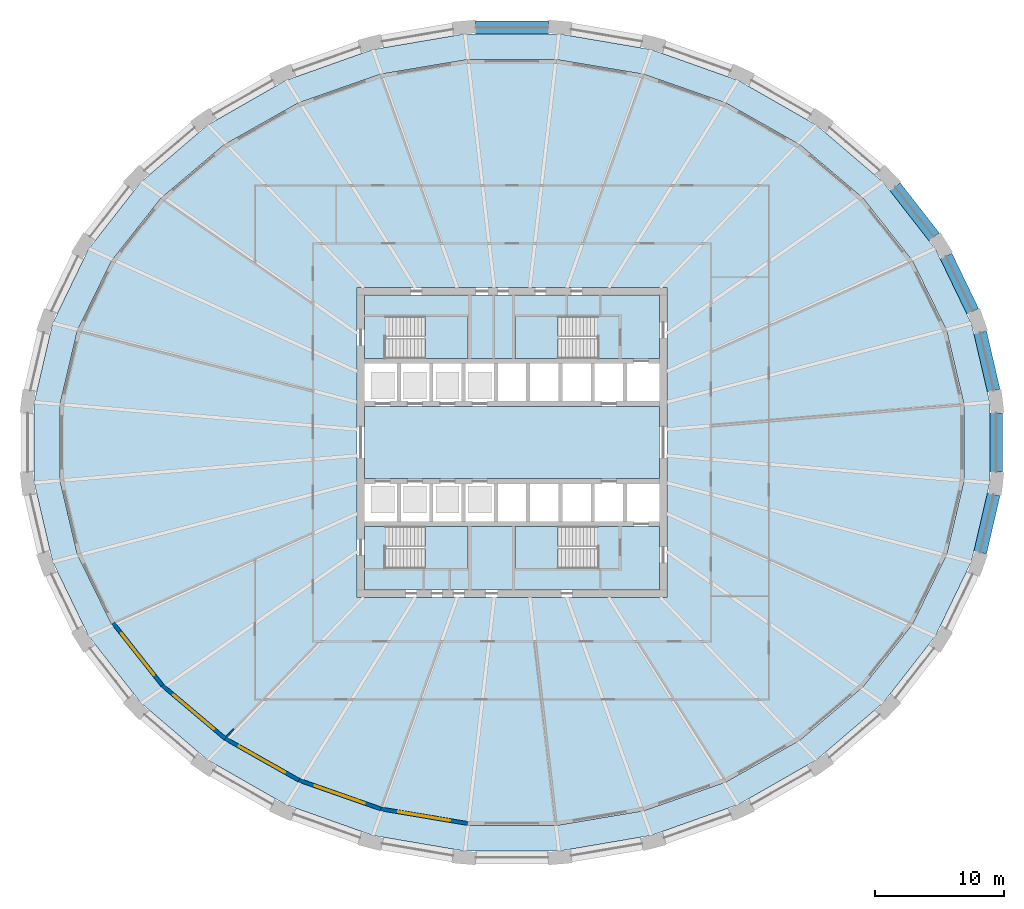
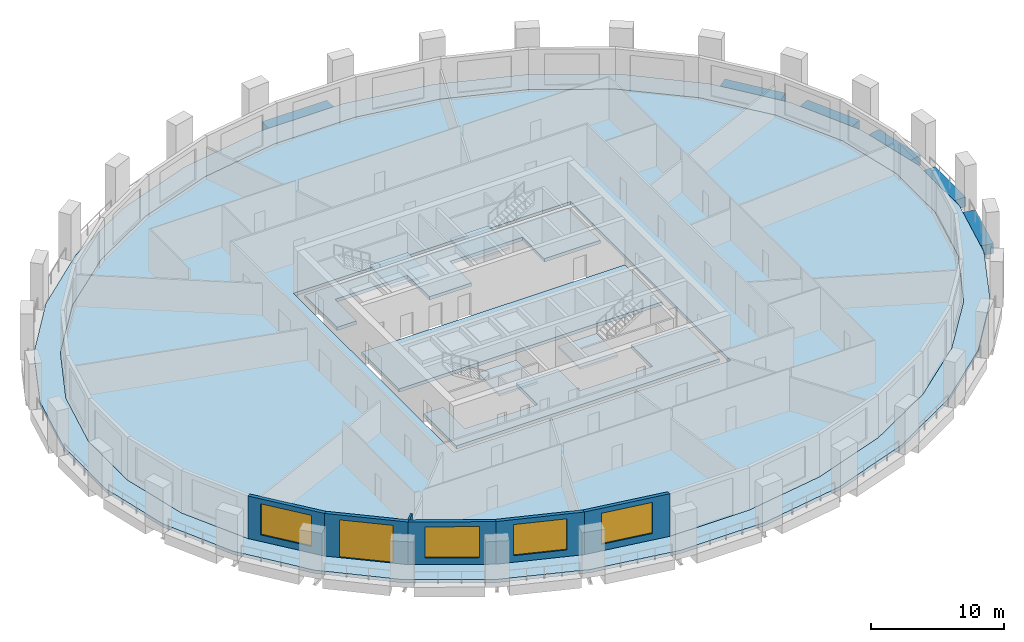
# One storey, part 2 of 11: 9 slabs, 6 beams, 6 walls, 4 windows, 1 door, 5 openings, 4 elements without a shape of their own.
"""IFC4 building model written with IfcOpenShell, lengths in metres."""

import ifcopenshell
import ifcopenshell.guid

model = None  # the IFC model being written
_history = None  # IfcOwnerHistory: only IFC2X3 demands one
_inside = {}  # id of a spatial element -> (the spatial element, [elements in it])
_under = {}  # id of a project, library or spatial element -> (it, [spatial elements below it])
_declared = {}  # id of a project -> (the project, [libraries it declares])
_typed = {}  # id of a type object -> (the type object, [elements of that type])
_made_of = {}  # id of a material, layer set ... -> (it, [elements and type objects made of it])


def new_model(schema):
    """Start an empty IFC model of exactly this schema.

    Asked for "IFC4X3", IfcOpenShell would pick the latest addendum, in which some entities
    have other attributes; the version numbers below select the first issue.
    IFC2X3 requires an IfcOwnerHistory on every rooted entity: one is made here for all.
    """
    global model, _history
    if schema == "IFC4X3":
        model = ifcopenshell.file(schema_version=(4, 3, 0, 0))
    else:
        model = ifcopenshell.file(schema=schema)
    _inside.clear()
    _under.clear()
    _declared.clear()
    _typed.clear()
    _made_of.clear()
    _history = None
    if model.schema == "IFC2X3":
        org = make("IfcOrganization", Name="unknown")
        user = make(
            "IfcPersonAndOrganization",
            ThePerson=make("IfcPerson", FamilyName="unknown"),
            TheOrganization=org,
        )
        app = make(
            "IfcApplication",
            ApplicationDeveloper=org,
            Version="unknown",
            ApplicationFullName="unknown",
            ApplicationIdentifier="unknown",
        )
        _history = make(
            "IfcOwnerHistory",
            OwningUser=user,
            OwningApplication=app,
            ChangeAction="ADDED",
            CreationDate=0,
        )
    return model


def make(cls, **values):
    """One entity of the class cls with the attributes given. An attribute that is None is left unset."""
    return model.create_entity(
        cls, **{name: value for name, value in values.items() if value is not None}
    )


def rooted(cls, **values):
    """An entity with a GlobalId (a new one), such as an element, a storey or a relation."""
    return make(cls, GlobalId=ifcopenshell.guid.new(), OwnerHistory=_history, **values)


def si_unit(unit_type, name, prefix=None):
    """IfcSIUnit, for example si_unit("LENGTHUNIT", "METRE", prefix="MILLI")."""
    return make("IfcSIUnit", UnitType=unit_type, Prefix=prefix, Name=name)


def assignment(units):
    """IfcUnitAssignment: the units of a project."""
    return None if units is None else make("IfcUnitAssignment", Units=units)


def point(xyz):
    """IfcCartesianPoint."""
    return None if xyz is None else make("IfcCartesianPoint", Coordinates=xyz)


def direction(xyz):
    """IfcDirection."""
    return None if xyz is None else make("IfcDirection", DirectionRatios=xyz)


def frame(location, z_axis=None, x_axis=None):
    """IfcAxis2Placement3D, a coordinate frame: its origin and axes. An axis left out is left unset."""
    return make(
        "IfcAxis2Placement3D",
        Location=point(location),
        Axis=direction(z_axis),
        RefDirection=direction(x_axis),
    )


def frame_2d(location, x_axis=None):
    """IfcAxis2Placement2D, a coordinate frame in the plane: its origin and x axis."""
    return make(
        "IfcAxis2Placement2D", Location=point(location), RefDirection=direction(x_axis)
    )


def origin():
    """The frame at (0, 0, 0) with its axes left unset."""
    return frame((0.0, 0.0, 0.0))


def origin_2d():
    """The frame at (0, 0) in the plane with its x axis left unset."""
    return frame_2d((0.0, 0.0))


def place(relative_to, where):
    """IfcLocalPlacement: puts the frame where relative to a parent placement (None: the world)."""
    return make(
        "IfcLocalPlacement", PlacementRelTo=relative_to, RelativePlacement=where
    )


def context(
    kind, dimensions, precision=None, world=None, true_north=None, identifier=None
):
    """IfcGeometricRepresentationContext, for example the 3D "Model" context."""
    return make(
        "IfcGeometricRepresentationContext",
        ContextIdentifier=identifier,
        ContextType=kind,
        CoordinateSpaceDimension=dimensions,
        Precision=precision,
        WorldCoordinateSystem=world,
        TrueNorth=true_north,
    )


def subcontext(parent, identifier, kind, view, scale=None):
    """IfcGeometricRepresentationSubContext, for example "Body" below "Model"."""
    return make(
        "IfcGeometricRepresentationSubContext",
        ContextIdentifier=identifier,
        ContextType=kind,
        ParentContext=parent,
        TargetScale=scale,
        TargetView=view,
    )


def project(units=None, contexts=None):
    """IfcProject with its units and contexts."""
    return rooted(
        "IfcProject",
        Name="project",
        RepresentationContexts=contexts,
        UnitsInContext=assignment(units),
    )


def spatial(cls, under=None, at=None, **own):
    """A site, building, storey or space (cls), placed at a placement, below another one or the project."""
    s = rooted(cls, ObjectPlacement=at, **own)
    if under is not None:
        _under.setdefault(under.id(), (under, []))[1].append(s)
    return s


def polyline(points):
    """IfcPolyline through the points."""
    return make("IfcPolyline", Points=[point(p) for p in points])


def profile(cls, at=None, kind="AREA", **sizes):
    """A parametric profile (cls). Its sizes go by their IFC names, for example OverallWidth=200.0."""
    return make(cls, ProfileType=kind, Position=at, **sizes)


def rectangle(**sizes):
    """IfcRectangleProfileDef."""
    return profile("IfcRectangleProfileDef", **sizes)


def outline(outer, holes=None, kind="AREA"):
    """IfcArbitraryClosedProfileDef: a profile drawn as a closed curve; with holes, ...WithVoids."""
    if holes is None:
        return make("IfcArbitraryClosedProfileDef", ProfileType=kind, OuterCurve=outer)
    return make(
        "IfcArbitraryProfileDefWithVoids",
        ProfileType=kind,
        OuterCurve=outer,
        InnerCurves=holes,
    )


def extrude(swept, where, along, depth):
    """IfcExtrudedAreaSolid: the profile swept, set in the frame where, extruded along a direction by depth."""
    return make(
        "IfcExtrudedAreaSolid",
        SweptArea=swept,
        Position=where,
        ExtrudedDirection=direction(along),
        Depth=depth,
    )


def shape(context_of_items, identifier, shape_type, items):
    """IfcShapeRepresentation: the items that make up one representation, for example the "Body"."""
    return make(
        "IfcShapeRepresentation",
        ContextOfItems=context_of_items,
        RepresentationIdentifier=identifier,
        RepresentationType=shape_type,
        Items=items,
    )


def material(Name=None, Category=None):
    """IfcMaterial."""
    return make("IfcMaterial", Name=Name, Category=Category)


def layer(
    of_material, thickness, ventilated=None, Name=None, Category=None, Priority=None
):
    """IfcMaterialLayer: one layer of a wall or slab, of a material (None: an air gap)."""
    return make(
        "IfcMaterialLayer",
        Material=of_material,
        LayerThickness=thickness,
        IsVentilated=ventilated,
        Name=Name,
        Category=Category,
        Priority=Priority,
    )


def layer_set(layers, Name=None):
    """IfcMaterialLayerSet."""
    return make("IfcMaterialLayerSet", MaterialLayers=layers, LayerSetName=Name)


def material_profile(
    of_material, cross_section, Name=None, Category=None, Priority=None
):
    """IfcMaterialProfile: a cross section and its material."""
    return make(
        "IfcMaterialProfile",
        Name=Name,
        Material=of_material,
        Profile=cross_section,
        Priority=Priority,
        Category=Category,
    )


def profile_set(profiles, Name=None, composite=None):
    """IfcMaterialProfileSet."""
    return make(
        "IfcMaterialProfileSet",
        Name=Name,
        MaterialProfiles=profiles,
        CompositeProfile=composite,
    )


def made_of(thing, what):
    """Note that an element or type object is made of a material, layer set ...; save() writes the relation."""
    if what is not None:
        _made_of.setdefault(what.id(), (what, []))[1].append(thing)
    return thing


def type_object(cls, material=None, **own):
    """A type object (cls), such as IfcWallType, which elements share."""
    return made_of(rooted(cls, **own), material)


def element(
    cls,
    number,
    at=None,
    inside=None,
    cuts=None,
    type_object=None,
    material=None,
    context=None,
    identifier="Body",
    shape_type=None,
    held_by="IfcProductDefinitionShape",
    body=None,
    shapes=None,
    **own,
):
    """One element of the class cls, such as IfcWall. Its Tag is "e" and its number.

    at: its placement. inside: the storey or other place that contains it. cuts: it is an
    opening in that element (IfcRelVoidsElement). A single representation is given by context,
    identifier, shape_type and body (its items); several are given by shapes. held_by: the class
    of the entity that holds the representations. save() writes the other relations.
    """
    e = rooted(cls, Tag="e%d" % number, ObjectPlacement=at, **own)
    if body is not None:
        shapes = [shape(context, identifier, shape_type, body)]
    if shapes is not None:
        e.Representation = make(held_by, Representations=shapes)
    if inside is not None:
        _inside.setdefault(inside.id(), (inside, []))[1].append(e)
    if cuts is not None:
        rooted(
            "IfcRelVoidsElement", RelatingBuildingElement=cuts, RelatedOpeningElement=e
        )
    if type_object is not None:
        _typed.setdefault(type_object.id(), (type_object, []))[1].append(e)
    return made_of(e, material)


def fill(opening, filler):
    """IfcRelFillsElement: the door or window that sits in an opening."""
    return rooted(
        "IfcRelFillsElement",
        RelatingOpeningElement=opening,
        RelatedBuildingElement=filler,
    )


def aggregate(whole, parts):
    """IfcRelAggregates: a whole, such as a stair, and the parts it consists of."""
    return rooted("IfcRelAggregates", RelatingObject=whole, RelatedObjects=parts)


def save(model, path):
    """Write the relations noted so far, then the file.

    IfcRelAggregates (storeys below a building ...), IfcRelContainedInSpatialStructure (elements
    in a storey), IfcRelDefinesByType, IfcRelAssociatesMaterial and IfcRelDeclares: one each for
    every whole, place, type object, material and project.
    """
    for whole, parts in _under.values():
        aggregate(whole, parts)
    for where, things in _inside.values():
        rooted(
            "IfcRelContainedInSpatialStructure",
            RelatedElements=things,
            RelatingStructure=where,
        )
    for kind, things in _typed.values():
        rooted("IfcRelDefinesByType", RelatedObjects=things, RelatingType=kind)
    for what, things in _made_of.values():
        rooted("IfcRelAssociatesMaterial", RelatedObjects=things, RelatingMaterial=what)
    for by, libraries in _declared.values():
        rooted("IfcRelDeclares", RelatingContext=by, RelatedDefinitions=libraries)
    model.write(path)


model = new_model("IFC4")

# Units and contexts
model_context = context("Model", 3, precision=1e-05, world=origin(), true_north=direction((0.0, 1.0)))
body_context = subcontext(model_context, "Body", "Model", "MODEL_VIEW")
ifc_project = project(units=[si_unit("LENGTHUNIT", "METRE"), si_unit("AREAUNIT", "SQUARE_METRE"), si_unit("VOLUMEUNIT", "CUBIC_METRE"), si_unit("PLANEANGLEUNIT", "RADIAN"), si_unit("MASSUNIT", "GRAM", prefix="KILO")], contexts=[model_context])

# Site, building, storey
site_placement = place(None, origin())
site = spatial("IfcSite", under=ifc_project, at=site_placement, CompositionType="ELEMENT")
building_placement = place(site_placement, origin())
building = spatial("IfcBuilding", under=site, at=building_placement, Name="Halqa Exchange Tower", CompositionType="ELEMENT")
storey_placement = place(building_placement, frame((0.0, 0.0, 36.10009765625)))
storey = spatial("IfcBuildingStorey", under=building, at=storey_placement, Name="L07", CompositionType="ELEMENT", Elevation=36.10009765625)

# Beams
ifc_material_1 = material(Name="Concrete C60/75", Category="concrete")
ifc_material_profile = material_profile(ifc_material_1, rectangle(XDim=1.0, YDim=0.89990234375, at=origin_2d()), Name="1000 x 900")
ifc_profile_set = profile_set([ifc_material_profile], Name="Concrete C60/75")
beam_type = type_object("IfcBeamType", Name="RC spandrel beam 1000 x 900 C60/75", PredefinedType="SPANDREL", material=ifc_profile_set)
beam_1_placement = place(storey_placement, frame((37.278076171875, 4.01953125, -0.4501953125), z_axis=(-0.226057098176, 0.974114053058, 0.0), x_axis=(-0.974114053058, -0.226057098176, 0.0)))
element("IfcBeam", 1, at=beam_1_placement, inside=storey, type_object=beam_type, Name="Spandrel 1", PredefinedType="SPANDREL", context=body_context, shape_type="SweptSolid", body=[
    extrude(rectangle(XDim=1.0, YDim=0.89990234375, at=origin_2d()), origin(), (0.0, 0.0, 1.0), 4.61474609375),
])
beam_2_placement = place(storey_placement, frame((35.65478515625, 10.159423828125, -0.4501953125), z_axis=(-0.435115053314, 0.900374861033, 0.0), x_axis=(-0.900374861033, -0.435115053314, 0.0)))
element("IfcBeam", 2, at=beam_2_placement, inside=storey, type_object=beam_type, Name="Spandrel 2", PredefinedType="SPANDREL", context=body_context, shape_type="SweptSolid", body=[
    extrude(rectangle(XDim=1.0, YDim=0.89990234375, at=origin_2d()), origin(), (0.0, 0.0, 1.0), 4.73779296875),
])
beam_3_placement = place(storey_placement, frame((32.672119140625, 15.9072265625, -0.4501953125), z_axis=(-0.614778716326, 0.788699644955, 0.0), x_axis=(-0.788699644955, -0.614778716326, 0.0)))
element("IfcBeam", 3, at=beam_3_placement, inside=storey, type_object=beam_type, Name="Spandrel 3", PredefinedType="SPANDREL", context=body_context, shape_type="SweptSolid", body=[
    extrude(rectangle(XDim=1.0, YDim=0.89990234375, at=origin_2d()), origin(), (0.0, 0.0, 1.0), 4.918701171875),
])
beam_4_placement = place(storey_placement, frame((2.816650390625, 32.122802734375, -0.4501953125), z_axis=(-1.0, 0.0, 0.0), x_axis=(0.0, -1.0, 0.0)))
element("IfcBeam", 4, at=beam_4_placement, inside=storey, type_object=beam_type, Name="Spandrel 8", PredefinedType="SPANDREL", context=body_context, shape_type="SweptSolid", body=[
    extrude(rectangle(XDim=1.0, YDim=0.89990234375, at=origin_2d()), origin(), (0.0, 0.0, 1.0), 5.63330078125),
])
beam_5_placement = place(storey_placement, frame((36.23486328125, -8.514892578125, -0.4501953125), z_axis=(0.226057098176, 0.974114053058, 0.0), x_axis=(-0.974114053058, 0.226057098176, 0.0)))
element("IfcBeam", 5, at=beam_5_placement, inside=storey, type_object=beam_type, Name="Spandrel 31", PredefinedType="SPANDREL", context=body_context, shape_type="SweptSolid", body=[
    extrude(rectangle(XDim=1.0, YDim=0.89990234375, at=origin_2d()), origin(), (0.0, 0.0, 1.0), 4.61474609375),
])
beam_6_placement = place(storey_placement, frame((37.4765625, -2.28515625, -0.4501953125), z_axis=(0.0, 1.0, 0.0), x_axis=(-1.0, 0.0, 0.0)))
element("IfcBeam", 6, at=beam_6_placement, inside=storey, type_object=beam_type, Name="Spandrel 32", PredefinedType="SPANDREL", context=body_context, shape_type="SweptSolid", body=[
    extrude(rectangle(XDim=1.0, YDim=0.89990234375, at=origin_2d()), origin(), (0.0, 0.0, 1.0), 4.5703125),
])

# Slabs
ifc_layer_1 = layer(ifc_material_1, 0.300048828125)
ifc_layer_set_1 = layer_set([ifc_layer_1], Name="Concrete C60/75")
slab_type_1 = type_object("IfcSlabType", Name="Core floor slab 300", PredefinedType="FLOOR", material=ifc_layer_set_1)
slab_1_placement = place(storey_placement, frame((0.0, 0.0, -0.300048828125)))
element("IfcSlab", 7, at=slab_1_placement, inside=storey, type_object=slab_type_1, Name="Core floor slab", PredefinedType="FLOOR", context=body_context, shape_type="SweptSolid", body=[
    extrude(outline(polyline([(-11.39990234375, 2.800048828125), (11.39990234375, 2.800048828125), (11.39990234375, -2.800048828125), (-11.39990234375, -2.800048828125), (-11.39990234375, 2.800048828125)])), origin(), (0.0, 0.0, 1.0), 0.300048828125),
])
slab_2_placement = place(storey_placement, frame((0.0, 0.0, -0.300048828125)))
element("IfcSlab", 8, at=slab_2_placement, inside=storey, type_object=slab_type_1, Name="Core floor slab", PredefinedType="FLOOR", context=body_context, shape_type="SweptSolid", body=[
    extrude(outline(polyline([(-11.39990234375, 11.39990234375), (11.39990234375, 11.39990234375), (11.39990234375, 6.5), (6.550048828125, 6.5), (6.550048828125, 9.75), (0.25, 9.75), (0.25, 6.5), (-3.39990234375, 6.5), (-3.39990234375, 9.75), (-9.699951171875, 9.75), (-9.699951171875, 6.5), (-11.39990234375, 6.5), (-11.39990234375, 11.39990234375)])), origin(), (0.0, 0.0, 1.0), 0.300048828125),
])
slab_3_placement = place(storey_placement, frame((0.0, 0.0, -0.300048828125)))
element("IfcSlab", 9, at=slab_3_placement, inside=storey, type_object=slab_type_1, Name="Core floor slab", PredefinedType="FLOOR", context=body_context, shape_type="SweptSolid", body=[
    extrude(outline(polyline([(-9.699951171875, -9.75), (-3.39990234375, -9.75), (-3.39990234375, -6.5), (0.25, -6.5), (0.25, -9.75), (6.550048828125, -9.75), (6.550048828125, -6.5), (11.39990234375, -6.5), (11.39990234375, -11.39990234375), (-11.39990234375, -11.39990234375), (-11.39990234375, -6.5), (-9.699951171875, -6.5), (-9.699951171875, -9.75)])), origin(), (0.0, 0.0, 1.0), 0.300048828125),
])
ifc_material_2 = material(Name="Concrete C40/50", Category="concrete")
ifc_layer_2 = layer(ifc_material_2, 0.300048828125)
ifc_layer_set_2 = layer_set([ifc_layer_2], Name="Concrete C40/50")
slab_type_2 = type_object("IfcSlabType", Name="RC floor slab 300", PredefinedType="FLOOR", material=ifc_layer_set_2)
slab_4_placement = place(storey_placement, frame((0.0, 0.0, -0.300048828125)))
element("IfcSlab", 10, at=slab_4_placement, inside=storey, type_object=slab_type_2, Name="Floor slab", PredefinedType="FLOOR", context=body_context, shape_type="SweptSolid", body=[
    extrude(outline(polyline([(34.989990234375, 2.92431640625), (33.64111328125, 8.65869140625), (30.997314453125, 14.056640625), (27.162109375, 18.910400390625), (22.285888671875, 23.0341796875), (16.556396484375, 26.271728515625), (10.193603515625, 28.50048828125), (3.44189453125, 29.63623046875), (-3.44189453125, 29.63623046875), (-10.193603515625, 28.50048828125), (-16.556396484375, 26.271728515625), (-22.285888671875, 23.0341796875), (-27.162109375, 18.910400390625), (-30.997314453125, 14.056640625), (-33.64111328125, 8.65869140625), (-34.989990234375, 2.92431640625), (-34.989990234375, -2.92431640625), (-33.64111328125, -8.65869140625), (-30.997314453125, -14.056640625), (-27.162109375, -18.910400390625), (-22.285888671875, -23.0341796875), (-16.556396484375, -26.271728515625), (-10.193603515625, -28.50048828125), (-3.44189453125, -29.63623046875), (3.44189453125, -29.63623046875), (10.193603515625, -28.50048828125), (16.556396484375, -26.271728515625), (22.285888671875, -23.0341796875), (27.162109375, -18.910400390625), (30.997314453125, -14.056640625), (33.64111328125, -8.65869140625), (34.989990234375, -2.92431640625), (34.989990234375, 2.92431640625)]), holes=[polyline([(-12.0, -12.0), (12.0, -12.0), (12.0, 12.0), (-12.0, 12.0), (-12.0, -12.0)])]), origin(), (0.0, 0.0, 1.0), 0.300048828125),
])
ifc_layer_3 = layer(ifc_material_2, 0.300048828125)
ifc_layer_set_3 = layer_set([ifc_layer_3], Name="Concrete C40/50")
slab_type_3 = type_object("IfcSlabType", Name="RC loggia slab 300", PredefinedType="FLOOR", material=ifc_layer_set_3)
slab_5_placement = place(storey_placement, frame((0.0, 0.0, -0.300048828125)))
element("IfcSlab", 11, at=slab_5_placement, inside=storey, type_object=slab_type_3, Name="Loggia slab", PredefinedType="FLOOR", context=body_context, shape_type="SweptSolid", body=[
    extrude(outline(polyline([(36.9765625, 3.1064453125), (36.9765625, -3.1064453125), (35.56201171875, -9.20263671875), (32.7841796875, -14.950439453125), (28.74658203125, -20.130126953125), (23.600341796875, -24.541015625), (17.542236328125, -28.010498046875), (10.804931640625, -30.402587890625), (3.648681640625, -31.622802734375), (-3.648681640625, -31.622802734375), (-10.804931640625, -30.402587890625), (-17.542236328125, -28.010498046875), (-23.600341796875, -24.541015625), (-28.74658203125, -20.130126953125), (-32.7841796875, -14.950439453125), (-35.56201171875, -9.20263671875), (-36.9765625, -3.1064453125), (-36.9765625, 3.1064453125), (-35.56201171875, 9.20263671875), (-32.7841796875, 14.950439453125), (-28.74658203125, 20.130126953125), (-23.600341796875, 24.541015625), (-17.542236328125, 28.010498046875), (-10.804931640625, 30.402587890625), (-3.648681640625, 31.622802734375), (3.648681640625, 31.622802734375), (10.804931640625, 30.402587890625), (17.542236328125, 28.010498046875), (23.600341796875, 24.541015625), (28.74658203125, 20.130126953125), (32.7841796875, 14.950439453125), (35.56201171875, 9.20263671875), (36.9765625, 3.1064453125)]), holes=[polyline([(34.989990234375, 2.92431640625), (33.64111328125, 8.65869140625), (30.997314453125, 14.056640625), (27.162109375, 18.910400390625), (22.285888671875, 23.0341796875), (16.556396484375, 26.271728515625), (10.193603515625, 28.50048828125), (3.44189453125, 29.63623046875), (-3.44189453125, 29.63623046875), (-10.193603515625, 28.50048828125), (-16.556396484375, 26.271728515625), (-22.285888671875, 23.0341796875), (-27.162109375, 18.910400390625), (-30.997314453125, 14.056640625), (-33.64111328125, 8.65869140625), (-34.989990234375, 2.92431640625), (-34.989990234375, -2.92431640625), (-33.64111328125, -8.65869140625), (-30.997314453125, -14.056640625), (-27.162109375, -18.910400390625), (-22.285888671875, -23.0341796875), (-16.556396484375, -26.271728515625), (-10.193603515625, -28.50048828125), (-3.44189453125, -29.63623046875), (3.44189453125, -29.63623046875), (10.193603515625, -28.50048828125), (16.556396484375, -26.271728515625), (22.285888671875, -23.0341796875), (27.162109375, -18.910400390625), (30.997314453125, -14.056640625), (33.64111328125, -8.65869140625), (34.989990234375, -2.92431640625), (34.989990234375, 2.92431640625)])]), origin(), (0.0, 0.0, 1.0), 0.300048828125),
])

# Stair, slab
ifc_material_3 = material(Name="Concrete C30/37", Category="concrete")
stair_type = type_object("IfcStairType", Name="Exit stair 1500 wide", PredefinedType="HALF_TURN_STAIR", material=ifc_material_3)
stair_1_placement = place(storey_placement, origin())
stair_1 = element("IfcStair", 12, at=stair_1_placement, inside=storey, type_object=stair_type, Name="Exit stair ST1", PredefinedType="HALF_TURN_STAIR")
ifc_layer_4 = layer(ifc_material_3, 0.199951171875)
ifc_layer_set_4 = layer_set([ifc_layer_4], Name="Concrete C30/37")
slab_type_4 = type_object("IfcSlabType", Name="Stair landing 200 slab", PredefinedType="LANDING", material=ifc_layer_set_4)
slab_6_placement = place(storey_placement, frame((0.0, 0.0, 1.89990234375)))
slab_6 = element("IfcSlab", 13, at=slab_6_placement, type_object=slab_type_4, Name="ST1 landing 1", PredefinedType="LANDING", context=body_context, shape_type="SweptSolid", body=[
    extrude(outline(polyline([(-6.719970703125, 6.5), (-3.39990234375, 6.5), (-3.39990234375, 9.75), (-6.719970703125, 9.75), (-6.719970703125, 6.5)])), origin(), (0.0, 0.0, 1.0), 0.199951171875),
])
aggregate(stair_1, [slab_6])

stair_2_placement = place(storey_placement, origin())
stair_2 = element("IfcStair", 14, at=stair_2_placement, inside=storey, type_object=stair_type, Name="Exit stair ST2", PredefinedType="HALF_TURN_STAIR")
slab_7_placement = place(storey_placement, frame((0.0, 0.0, 1.89990234375)))
slab_7 = element("IfcSlab", 15, at=slab_7_placement, type_object=slab_type_4, Name="ST2 landing 1", PredefinedType="LANDING", context=body_context, shape_type="SweptSolid", body=[
    extrude(outline(polyline([(0.25, 6.5), (3.570068359375, 6.5), (3.570068359375, 9.75), (0.25, 9.75), (0.25, 6.5)])), origin(), (0.0, 0.0, 1.0), 0.199951171875),
])
aggregate(stair_2, [slab_7])

stair_3_placement = place(storey_placement, origin())
stair_3 = element("IfcStair", 16, at=stair_3_placement, inside=storey, type_object=stair_type, Name="Exit stair ST3", PredefinedType="HALF_TURN_STAIR")
slab_8_placement = place(storey_placement, frame((0.0, 0.0, 1.89990234375)))
slab_8 = element("IfcSlab", 17, at=slab_8_placement, type_object=slab_type_4, Name="ST3 landing 1", PredefinedType="LANDING", context=body_context, shape_type="SweptSolid", body=[
    extrude(outline(polyline([(-6.719970703125, -9.75), (-3.39990234375, -9.75), (-3.39990234375, -6.5), (-6.719970703125, -6.5), (-6.719970703125, -9.75)])), origin(), (0.0, 0.0, 1.0), 0.199951171875),
])
aggregate(stair_3, [slab_8])

stair_4_placement = place(storey_placement, origin())
stair_4 = element("IfcStair", 18, at=stair_4_placement, inside=storey, type_object=stair_type, Name="Exit stair ST4", PredefinedType="HALF_TURN_STAIR")
slab_9_placement = place(storey_placement, frame((0.0, 0.0, 1.89990234375)))
slab_9 = element("IfcSlab", 19, at=slab_9_placement, type_object=slab_type_4, Name="ST4 landing 1", PredefinedType="LANDING", context=body_context, shape_type="SweptSolid", body=[
    extrude(outline(polyline([(0.25, -9.75), (3.570068359375, -9.75), (3.570068359375, -6.5), (0.25, -6.5), (0.25, -9.75)])), origin(), (0.0, 0.0, 1.0), 0.199951171875),
])
aggregate(stair_4, [slab_9])

# Wall
ifc_material_4 = material(Name="Fire-rated gypsum board")
ifc_layer_5 = layer(ifc_material_4, 0.14990234375)
ifc_layer_set_5 = layer_set([ifc_layer_5], Name="Fire-rated gypsum board")
wall_type_1 = type_object("IfcWallType", Name="Fire partition EI 60 150", PredefinedType="PARTITIONING", material=ifc_layer_set_5)
wall_1_placement = place(storey_placement, frame((-22.11669921875, -22.790771484375, 0.0), z_axis=(0.0, 0.0, 1.0), x_axis=(0.696550314682, 0.71750795056, 0.0)))
element("IfcWall", 20, at=wall_1_placement, inside=storey, type_object=wall_type_1, Name="L07-PWL-003", PredefinedType="PARTITIONING", context=body_context, shape_type="SweptSolid", body=[
    extrude(outline(polyline([(0.0, 0.074951171875), (0.0, 0.0712890625), (0.0048828125, 0.00048828125), (0.024658203125, -0.074951171875), (0.8388671875, -0.074951171875), (0.8388671875, 0.074951171875), (0.0, 0.074951171875)])), origin(), (0.0, 0.0, 1.0), 3.89990234375),
])

# Wall, opening, window
ifc_material_5 = material(Name="Limestone cladding", Category="masonry")
ifc_layer_6 = layer(ifc_material_5, 0.0400390625)
ifc_material_6 = material(Name="Ventilated cavity")
ifc_layer_7 = layer(ifc_material_6, 0.030029296875, ventilated=True)
ifc_material_7 = material(Name="Mineral wool insulation")
ifc_layer_8 = layer(ifc_material_7, 0.10009765625)
ifc_layer_9 = layer(ifc_material_3, 0.10009765625)
ifc_material_8 = material(Name="Internal plaster")
ifc_layer_10 = layer(ifc_material_8, 0.030029296875)
ifc_layer_set_6 = layer_set([ifc_layer_6, ifc_layer_7, ifc_layer_8, ifc_layer_9, ifc_layer_10], Name="Stone-faced insulated wall 300")
wall_type_2 = type_object("IfcWallType", Name="Stone-faced insulated wall 300", PredefinedType="STANDARD", material=ifc_layer_set_6)
wall_2_placement = place(storey_placement, frame((-30.869384765625, -13.976318359375, 0.0), z_axis=(0.0, 0.0, 1.0), x_axis=(0.61992334328, -0.784662378642, 0.0)))
wall_2 = element("IfcWall", 21, at=wall_2_placement, inside=storey, type_object=wall_type_2, Name="Glass-line wall 19", PredefinedType="STANDARD", context=body_context, shape_type="SweptSolid", body=[
    extrude(outline(polyline([(-0.01611328125, -0.14990234375), (6.169921875, -0.14990234375), (6.1396484375, 0.14990234375), (0.01611328125, 0.14990234375), (-0.01611328125, -0.14990234375)])), origin(), (0.0, 0.0, 1.0), 3.89990234375),
])
opening_1_placement = place(wall_2_placement, frame((1.02734375, 0.0, 0.60009765625)))
opening_1 = element("IfcOpeningElement", 22, at=opening_1_placement, cuts=wall_2, Name="Opening W-F1-19", PredefinedType="OPENING", context=body_context, shape_type="SweptSolid", body=[
    extrude(rectangle(XDim=4.10009765625, YDim=2.85009765625, at=frame_2d((2.050048828125, 1.425048828125))), frame((0.0, 0.162109375, 0.0), z_axis=(0.0, -1.0, 0.0), x_axis=(1.0, 0.0, 0.0)), (0.0, 0.0, 1.0), 0.323974609375),
])
ifc_material_9 = material(Name="Clear low-emissivity glass in aluminium frame", Category="aluminium")
window_type = type_object("IfcWindowType", Name="Fixed clear glazed window 4100 x 2850", PartitioningType="TRIPLE_PANEL_VERTICAL", PredefinedType="WINDOW", material=ifc_material_9)
window_1_placement = place(opening_1_placement, origin())
window_1 = element("IfcWindow", 23, at=window_1_placement, inside=storey, type_object=window_type, Name="Window 1", OverallHeight=2.85009765625, OverallWidth=4.10009765625, PartitioningType="TRIPLE_PANEL_VERTICAL", PredefinedType="WINDOW", context=body_context, shape_type="SweptSolid", body=[
    extrude(rectangle(XDim=4.10009765625, YDim=2.85009765625, at=frame_2d((2.050048828125, 1.425048828125))), frame((0.0, 0.030029296875, 0.0), z_axis=(0.0, -1.0, 0.0), x_axis=(1.0, 0.0, 0.0)), (0.0, 0.0, 1.0), 0.06005859375),
])
fill(opening_1, window_1)

# Wall, opening, door
wall_3_placement = place(storey_placement, frame((-27.053955078125, -18.8056640625, 0.0), z_axis=(0.0, 0.0, 1.0), x_axis=(0.763577077796, -0.645716691951, 0.0)))
wall_3 = element("IfcWall", 24, at=wall_3_placement, inside=storey, type_object=wall_type_2, Name="Glass-line wall 20", PredefinedType="STANDARD", context=body_context, shape_type="SweptSolid", body=[
    extrude(outline(polyline([(-0.01513671875, -0.14990234375), (6.371337890625, -0.14990234375), (6.343017578125, 0.14990234375), (0.01513671875, 0.14990234375), (-0.01513671875, -0.14990234375)])), origin(), (0.0, 0.0, 1.0), 3.89990234375),
])
opening_2_placement = place(wall_3_placement, frame((1.128662109375, 0.0, 0.0)))
opening_2 = element("IfcOpeningElement", 25, at=opening_2_placement, cuts=wall_3, Name="Opening LG-F1-05", PredefinedType="OPENING", context=body_context, shape_type="SweptSolid", body=[
    extrude(rectangle(XDim=4.10009765625, YDim=3.449951171875, at=frame_2d((2.050048828125, 1.72509765625))), frame((0.0, 0.162109375, 0.0), z_axis=(0.0, -1.0, 0.0), x_axis=(1.0, 0.0, 0.0)), (0.0, 0.0, 1.0), 0.323974609375),
])
door_type = type_object("IfcDoorType", Name="Glazed sliding loggia door 4100 x 3450", OperationType="DOUBLE_DOOR_SLIDING", PredefinedType="DOOR", material=ifc_material_9)
door_placement = place(opening_2_placement, origin())
door = element("IfcDoor", 26, at=door_placement, inside=storey, type_object=door_type, Name="Loggia door 5", OperationType="DOUBLE_DOOR_SLIDING", OverallHeight=3.449951171875, OverallWidth=4.10009765625, PredefinedType="DOOR", context=body_context, shape_type="SweptSolid", body=[
    extrude(rectangle(XDim=4.10009765625, YDim=3.449951171875, at=frame_2d((2.050048828125, 1.72509765625))), frame((0.0, 0.02490234375, 0.0), z_axis=(0.0, -1.0, 0.0), x_axis=(1.0, 0.0, 0.0)), (0.0, 0.0, 1.0), 0.050048828125),
])
fill(opening_2, door)

# Wall, opening, window
wall_4_placement = place(storey_placement, frame((-22.19970703125, -22.91064453125, 0.0), z_axis=(0.0, 0.0, 1.0), x_axis=(0.87061279013, -0.491968870623, 0.0)))
wall_4 = element("IfcWall", 27, at=wall_4_placement, inside=storey, type_object=wall_type_2, Name="Glass-line wall 21", PredefinedType="STANDARD", context=body_context, shape_type="SweptSolid", body=[
    extrude(outline(polyline([(-0.01416015625, -0.14990234375), (6.56689453125, -0.14990234375), (6.5400390625, 0.14990234375), (0.01416015625, 0.14990234375), (-0.01416015625, -0.14990234375)])), origin(), (0.0, 0.0, 1.0), 3.89990234375),
])
opening_3_placement = place(wall_4_placement, frame((1.226806640625, 0.0, 0.60009765625)))
opening_3 = element("IfcOpeningElement", 28, at=opening_3_placement, cuts=wall_4, Name="Opening W-F1-21", PredefinedType="OPENING", context=body_context, shape_type="SweptSolid", body=[
    extrude(rectangle(XDim=4.10009765625, YDim=2.85009765625, at=frame_2d((2.050048828125, 1.425048828125))), frame((0.0, 0.162109375, 0.0), z_axis=(0.0, -1.0, 0.0), x_axis=(1.0, 0.0, 0.0)), (0.0, 0.0, 1.0), 0.323974609375),
])
window_2_placement = place(opening_3_placement, origin())
window_2 = element("IfcWindow", 29, at=window_2_placement, inside=storey, type_object=window_type, Name="Window 1", OverallHeight=2.85009765625, OverallWidth=4.10009765625, PartitioningType="TRIPLE_PANEL_VERTICAL", PredefinedType="WINDOW", context=body_context, shape_type="SweptSolid", body=[
    extrude(rectangle(XDim=4.10009765625, YDim=2.85009765625, at=frame_2d((2.050048828125, 1.425048828125))), frame((0.0, 0.030029296875, 0.0), z_axis=(0.0, -1.0, 0.0), x_axis=(1.0, 0.0, 0.0)), (0.0, 0.0, 1.0), 0.06005859375),
])
fill(opening_3, window_2)

wall_5_placement = place(storey_placement, frame((-16.494140625, -26.134765625, 0.0), z_axis=(0.0, 0.0, 1.0), x_axis=(0.943778979427, -0.330577128657, 0.0)))
wall_5 = element("IfcWall", 30, at=wall_5_placement, inside=storey, type_object=wall_type_2, Name="Glass-line wall 22", PredefinedType="STANDARD", context=body_context, shape_type="SweptSolid", body=[
    extrude(outline(polyline([(-0.013427734375, -0.14990234375), (6.72802734375, -0.14990234375), (6.70263671875, 0.14990234375), (0.013427734375, 0.14990234375), (-0.013427734375, -0.14990234375)])), origin(), (0.0, 0.0, 1.0), 3.89990234375),
])
opening_4_placement = place(wall_5_placement, frame((1.3076171875, 0.0, 0.60009765625)))
opening_4 = element("IfcOpeningElement", 31, at=opening_4_placement, cuts=wall_5, Name="Opening W-F1-22", PredefinedType="OPENING", context=body_context, shape_type="SweptSolid", body=[
    extrude(rectangle(XDim=4.10009765625, YDim=2.85009765625, at=frame_2d((2.050048828125, 1.425048828125))), frame((0.0, 0.162109375, 0.0), z_axis=(0.0, -1.0, 0.0), x_axis=(1.0, 0.0, 0.0)), (0.0, 0.0, 1.0), 0.323974609375),
])
window_3_placement = place(opening_4_placement, origin())
window_3 = element("IfcWindow", 32, at=window_3_placement, inside=storey, type_object=window_type, Name="Window 1", OverallHeight=2.85009765625, OverallWidth=4.10009765625, PartitioningType="TRIPLE_PANEL_VERTICAL", PredefinedType="WINDOW", context=body_context, shape_type="SweptSolid", body=[
    extrude(rectangle(XDim=4.10009765625, YDim=2.85009765625, at=frame_2d((2.050048828125, 1.425048828125))), frame((0.0, 0.030029296875, 0.0), z_axis=(0.0, -1.0, 0.0), x_axis=(1.0, 0.0, 0.0)), (0.0, 0.0, 1.0), 0.06005859375),
])
fill(opening_4, window_3)

wall_6_placement = place(storey_placement, frame((-10.15625, -28.354736328125, 0.0), z_axis=(0.0, 0.0, 1.0), x_axis=(0.986145179906, -0.165884550659, 0.0)))
wall_6 = element("IfcWall", 33, at=wall_6_placement, inside=storey, type_object=wall_type_2, Name="Glass-line wall 23", PredefinedType="STANDARD", context=body_context, shape_type="SweptSolid", body=[
    extrude(outline(polyline([(-0.0126953125, -0.14990234375), (6.833984375, -0.14990234375), (6.80908203125, 0.14990234375), (0.0126953125, 0.14990234375), (-0.0126953125, -0.14990234375)])), origin(), (0.0, 0.0, 1.0), 3.89990234375),
])
opening_5_placement = place(wall_6_placement, frame((1.36083984375, 0.0, 0.60009765625)))
opening_5 = element("IfcOpeningElement", 34, at=opening_5_placement, cuts=wall_6, Name="Opening W-F1-23", PredefinedType="OPENING", context=body_context, shape_type="SweptSolid", body=[
    extrude(rectangle(XDim=4.10009765625, YDim=2.85009765625, at=frame_2d((2.050048828125, 1.425048828125))), frame((0.0, 0.162109375, 0.0), z_axis=(0.0, -1.0, 0.0), x_axis=(1.0, 0.0, 0.0)), (0.0, 0.0, 1.0), 0.323974609375),
])
window_4_placement = place(opening_5_placement, origin())
window_4 = element("IfcWindow", 35, at=window_4_placement, inside=storey, type_object=window_type, Name="Window 1", OverallHeight=2.85009765625, OverallWidth=4.10009765625, PartitioningType="TRIPLE_PANEL_VERTICAL", PredefinedType="WINDOW", context=body_context, shape_type="SweptSolid", body=[
    extrude(rectangle(XDim=4.10009765625, YDim=2.85009765625, at=frame_2d((2.050048828125, 1.425048828125))), frame((0.0, 0.030029296875, 0.0), z_axis=(0.0, -1.0, 0.0), x_axis=(1.0, 0.0, 0.0)), (0.0, 0.0, 1.0), 0.06005859375),
])
fill(opening_5, window_4)

save(model, "model.ifc")
